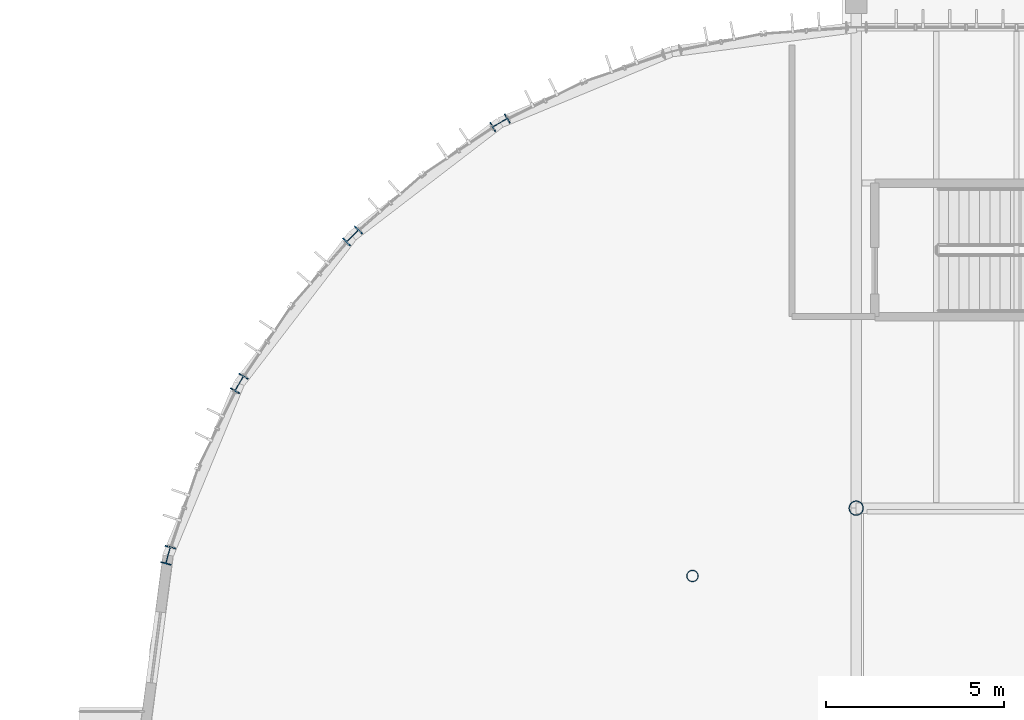
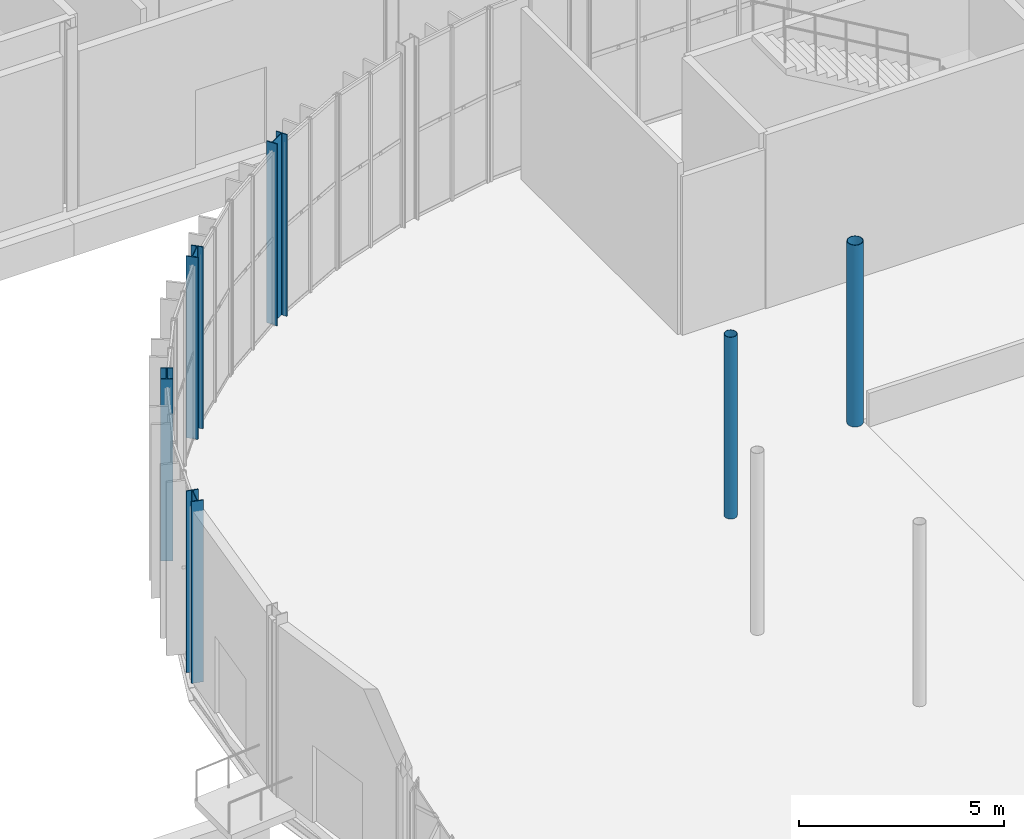
# One storey, part 9 of 158: 6 columns.
"""IFC4 building model written with IfcOpenShell, lengths in metres."""

from ifc_helpers import new_model, si_unit, derived_unit, direction, frame, origin, origin_2d, place, context, subcontext, project, spatial, hollow_circle, i_section, extrude, material, material_profile, profile_set, type_object, element, save


model = new_model("IFC4")

# Units and contexts
model_context = context("Model", 3, precision=1e-05, world=origin(), true_north=direction((0.0, 1.0)))
body_context = subcontext(model_context, "Body", "Model", "MODEL_VIEW")
ifc_project = project(units=[si_unit("LENGTHUNIT", "METRE"), si_unit("AREAUNIT", "SQUARE_METRE"), si_unit("VOLUMEUNIT", "CUBIC_METRE"), si_unit("PLANEANGLEUNIT", "RADIAN"), si_unit("MASSUNIT", "GRAM", prefix="KILO"), si_unit("THERMODYNAMICTEMPERATUREUNIT", "KELVIN"), si_unit("TIMEUNIT", "SECOND"), derived_unit("THERMALTRANSMITTANCEUNIT", [(si_unit("MASSUNIT", "GRAM", prefix="KILO"), 1), (si_unit("THERMODYNAMICTEMPERATUREUNIT", "KELVIN"), -1), (si_unit("TIMEUNIT", "SECOND"), -3)])], contexts=[model_context])

# Site, building, storey
site_placement = place(None, origin())
site = spatial("IfcSite", under=ifc_project, at=site_placement, CompositionType="ELEMENT")
building_placement = place(site_placement, origin())
building = spatial("IfcBuilding", under=site, at=building_placement, Name="Cambertide Market Hall", CompositionType="ELEMENT")
storey_placement = place(building_placement, origin())
storey = spatial("IfcBuildingStorey", under=building, at=storey_placement, Name="L01", CompositionType="ELEMENT", Elevation=0.0)

# Columns
ifc_material_1 = material(Name="Steel S355", Category="steel")
ifc_material_profile_1 = material_profile(ifc_material_1, i_section(OverallWidth=0.300048828125, OverallDepth=0.5, WebThickness=0.014404296875, FlangeThickness=0.028076171875, FilletRadius=0.027099609375, at=origin_2d()), Name="HEB 500")
ifc_profile_set_1 = profile_set([ifc_material_profile_1], Name="Steel S355")
column_type_1 = type_object("IfcColumnType", Name="Exterior Steel Column HEB 500", PredefinedType="COLUMN", material=ifc_profile_set_1)
for number, where, z_axis, x_axis, name in (
    (1, (32.0, 89.320556640625, 0.0), (0.0, 0.0, 1.0), (-0.5, 0.866025403784, 0.0), "Level 1 Column COL-V1-AW04-L01"),
    (2, (27.85791015625, 86.14208984375, 0.0), (0.0, 0.0, 1.0), (-0.707106781187, 0.707106781187, 0.0), "Level 1 Column COL-V1-AW06-L01"),
    (3, (24.679443359375, 82.0, 0.0), (0.0, 0.0, 1.0), (-0.866025403784, 0.5, 0.0), "Level 1 Column COL-V1-AW08-L01"),
    (4, (22.681396484375, 77.17626953125, 0.0), (0.0, 0.0, 1.0), (-0.965925826289, 0.258819045103, 0.0), "Level 1 Column COL-V1-AW10-L01"),
):
    element("IfcColumn", number, at=place(storey_placement, frame(where, z_axis=z_axis, x_axis=x_axis)), inside=storey, type_object=column_type_1, Name=name, PredefinedType="COLUMN", context=body_context, shape_type="SweptSolid", body=[
        extrude(i_section(OverallWidth=0.300048828125, OverallDepth=0.5, WebThickness=0.014404296875, FlangeThickness=0.028076171875, FilletRadius=0.027099609375, at=origin_2d()), origin(), (0.0, 0.0, 1.0), 5.39990234375),
    ])
ifc_material_2 = material(Name="Steel S355", Category="steel")
ifc_material_profile_2 = material_profile(ifc_material_2, hollow_circle(Radius=0.161865234375, WallThickness=0.010009765625, at=origin_2d()), Name="CHS 323.9x10")
ifc_profile_set_2 = profile_set([ifc_material_profile_2], Name="Steel S355")
column_type_2 = type_object("IfcColumnType", Name="Steel Column CHS 323.9x10", PredefinedType="COLUMN", material=ifc_profile_set_2)
column_1_placement = place(storey_placement, frame((37.40380859375, 76.59619140625, 0.0), z_axis=(0.0, 0.0, 1.0), x_axis=(1.0, 0.0, 0.0)))
element("IfcColumn", 5, at=column_1_placement, inside=storey, type_object=column_type_2, Name="Level 1 Column COL-V1-MW06-L01", PredefinedType="COLUMN", context=body_context, shape_type="SweptSolid", body=[
    extrude(hollow_circle(Radius=0.161865234375, WallThickness=0.010009765625, at=origin_2d()), origin(), (0.0, 0.0, 1.0), 5.39990234375),
])
ifc_material_3 = material(Name="Steel S355", Category="steel")
ifc_material_profile_3 = material_profile(ifc_material_3, hollow_circle(Radius=0.203125, WallThickness=0.01416015625, at=origin_2d()), Name="CHS 406.4x14.2")
ifc_profile_set_3 = profile_set([ifc_material_profile_3], Name="Steel S355")
column_type_3 = type_object("IfcColumnType", Name="Steel Column CHS 406.4x14.2", PredefinedType="COLUMN", material=ifc_profile_set_3)
column_2_placement = place(storey_placement, frame((42.0, 78.5, 0.0), z_axis=(0.0, 0.0, 1.0), x_axis=(1.0, 0.0, 0.0)))
element("IfcColumn", 6, at=column_2_placement, inside=storey, type_object=column_type_3, Name="Level 1 Column COL-V1-MN1-L01", PredefinedType="COLUMN", context=body_context, shape_type="SweptSolid", body=[
    extrude(hollow_circle(Radius=0.203125, WallThickness=0.01416015625, at=origin_2d()), origin(), (0.0, 0.0, 1.0), 5.39990234375),
])

save(model, "model.ifc")
